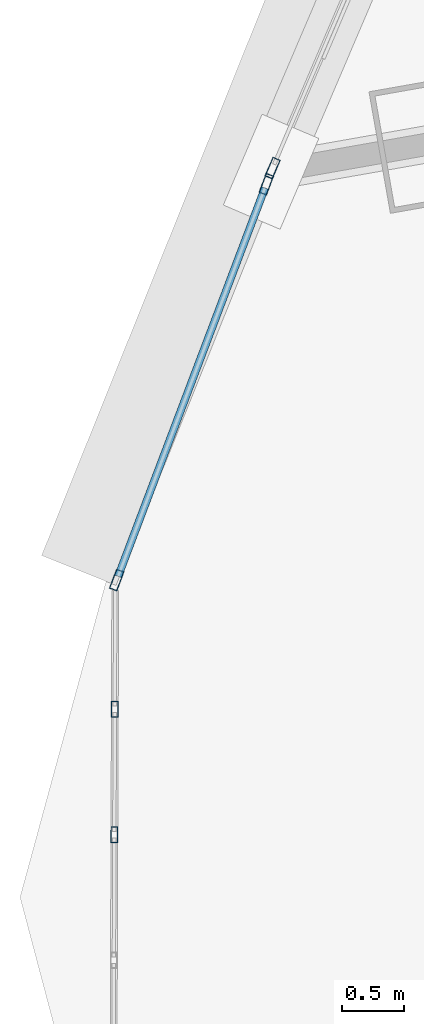
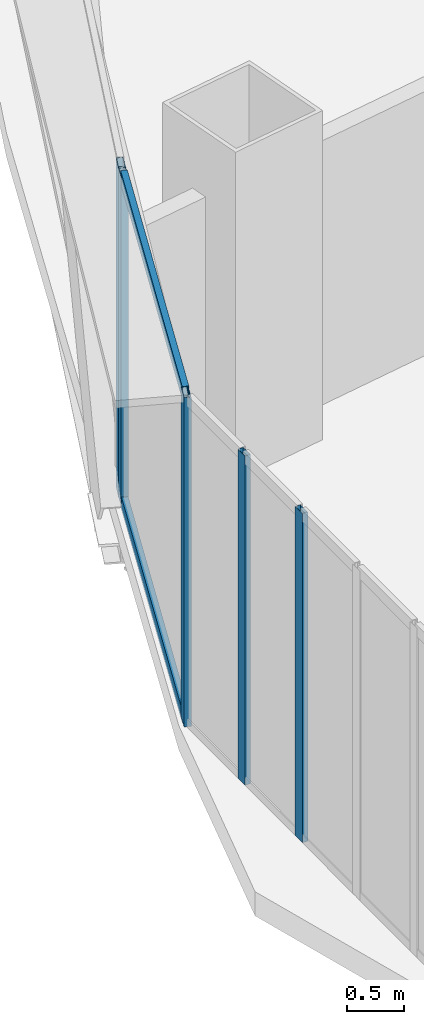
# One storey, part 4 of 41: 7 members, 3 elements without a shape of their own.
"""IFC4 building model written with IfcOpenShell, lengths in metres."""

from ifc_helpers import new_model, si_unit, direction, frame, origin, origin_2d, place, context, subcontext, project, spatial, hollow_rectangle, extrude, source, transform, mapped, material, layer, layer_set, material_profile, profile_set, type_object, element, aggregate, save


model = new_model("IFC4")

# Units and contexts
model_context = context("Model", 3, precision=1e-05, world=origin(), true_north=direction((0.0, 1.0)))
body_context = subcontext(model_context, "Body", "Model", "MODEL_VIEW")
ifc_project = project(units=[si_unit("LENGTHUNIT", "METRE"), si_unit("AREAUNIT", "SQUARE_METRE"), si_unit("VOLUMEUNIT", "CUBIC_METRE"), si_unit("PLANEANGLEUNIT", "RADIAN"), si_unit("MASSUNIT", "GRAM", prefix="KILO"), si_unit("THERMODYNAMICTEMPERATUREUNIT", "KELVIN"), si_unit("POWERUNIT", "WATT")], contexts=[model_context])

# Site, building, storey
site_placement = place(None, origin())
site = spatial("IfcSite", under=ifc_project, at=site_placement, CompositionType="ELEMENT")
building_placement = place(site_placement, origin())
building = spatial("IfcBuilding", under=site, at=building_placement, Name="Yunzhuo Pagoda Commons", CompositionType="ELEMENT")
storey_placement = place(building_placement, frame((0.0, 0.0, 111.580078125)))
storey = spatial("IfcBuildingStorey", under=building, at=storey_placement, Name="L28", CompositionType="ELEMENT", Elevation=111.580078125)

# Curtain wall, member
ifc_material = material(Name="Anodized aluminium 6063-T6", Category="aluminium")
ifc_layer_1 = layer(ifc_material, 0.1650390625)
ifc_layer_set_1 = layer_set([ifc_layer_1], Name="Anodized aluminium 6063-T6")
curtain_wall_type_1 = type_object("IfcCurtainWallType", Name="CW-LOW Low-Zone Ribbon Curtain Wall", PredefinedType="NOTDEFINED", material=ifc_layer_set_1)
curtain_wall_1_placement = place(storey_placement, origin())
curtain_wall_1 = element("IfcCurtainWall", 1, at=curtain_wall_1_placement, inside=storey, type_object=curtain_wall_type_1, Name="L28 curtain wall CW-L28-F3B4", PredefinedType="NOTDEFINED")
ifc_material_profile_1 = material_profile(ifc_material, hollow_rectangle(XDim=0.06494140625, YDim=0.1650390625, WallThickness=0.00390625, at=origin_2d()), Name="Anodized aluminium 6063-T6")
ifc_profile_set_1 = profile_set([ifc_material_profile_1], Name="Anodized aluminium 6063-T6")
member_type_1 = type_object("IfcMemberType", Name="CW-LOW-M Mullion RHS 165x65x4", PredefinedType="MULLION", material=ifc_profile_set_1)
shared_shape_1 = source(origin(), body_context, "Body", "SweptSolid", [
    extrude(hollow_rectangle(XDim=0.06494140625, YDim=0.1650390625, WallThickness=0.00390625, at=origin_2d()), origin(), (0.0, 0.0, 1.0), 3.5400390625),
])
member_1_placement = place(storey_placement, frame((8.287109375, 26.72509765625, 0.0), z_axis=(0.0, 0.0, 1.0), x_axis=(0.919648900825, -0.392741517046, 0.0)))
member_1 = element("IfcMember", 2, at=member_1_placement, type_object=member_type_1, Name="CW mullion 2", PredefinedType="MULLION", context=body_context, shape_type="MappedRepresentation", body=[
    mapped(shared_shape_1, transform((0.0, 0.0, 0.0), scale=1.0)),
])
aggregate(curtain_wall_1, [member_1])

# Curtain wall, members
curtain_wall_2_placement = place(storey_placement, origin())
curtain_wall_2 = element("IfcCurtainWall", 3, at=curtain_wall_2_placement, inside=storey, type_object=curtain_wall_type_1, Name="L28 curtain wall CW-L28-F3B5", PredefinedType="NOTDEFINED")
member_2_placement = place(storey_placement, frame((8.236328125, 26.5947265625, 0.0), z_axis=(0.0, 0.0, 1.0), x_axis=(0.935396805779, -0.353599796011, 0.0)))
member_2 = element("IfcMember", 4, at=member_2_placement, type_object=member_type_1, Name="CW mullion 1", PredefinedType="MULLION", context=body_context, shape_type="MappedRepresentation", body=[
    mapped(shared_shape_1, transform((0.0, 0.0, 0.0), scale=1.0)),
])
member_3_placement = place(storey_placement, frame((7.023681640625, 23.386962890625, 0.0), z_axis=(0.0, 0.0, 1.0), x_axis=(0.935396805779, -0.353599796011, 0.0)))
member_3 = element("IfcMember", 5, at=member_3_placement, type_object=member_type_1, Name="CW mullion 2", PredefinedType="MULLION", context=body_context, shape_type="MappedRepresentation", body=[
    mapped(shared_shape_1, transform((0.0, 0.0, 0.0), scale=1.0)),
])

ifc_layer_2 = layer(ifc_material, 0.1298828125)
ifc_layer_set_2 = layer_set([ifc_layer_2], Name="Anodized aluminium 6063-T6")
curtain_wall_type_2 = type_object("IfcCurtainWallType", Name="CW-VTX Rounded Corner Curtain Wall", PredefinedType="NOTDEFINED", material=ifc_layer_set_2)
curtain_wall_3_placement = place(storey_placement, origin())
curtain_wall_3 = element("IfcCurtainWall", 6, at=curtain_wall_3_placement, inside=storey, type_object=curtain_wall_type_2, Name="L28 curtain wall CW-L28-VTX1S1", PredefinedType="NOTDEFINED")
ifc_material_profile_2 = material_profile(ifc_material, hollow_rectangle(XDim=0.054931640625, YDim=0.1298828125, WallThickness=0.00341796875, at=origin_2d()), Name="Anodized aluminium 6063-T6")
ifc_profile_set_2 = profile_set([ifc_material_profile_2], Name="Anodized aluminium 6063-T6")
member_type_2 = type_object("IfcMemberType", Name="CW-VTX-M Mullion RHS 130x55x3.5", PredefinedType="MULLION", material=ifc_profile_set_2)
shared_shape_2 = source(origin(), body_context, "Body", "SweptSolid", [
    extrude(hollow_rectangle(XDim=0.054931640625, YDim=0.1298828125, WallThickness=0.00341796875, at=origin_2d()), origin(), (0.0, 0.0, 1.0), 3.5400390625),
])
member_4_placement = place(storey_placement, frame((7.008544921875, 22.339599609375, 0.0), z_axis=(0.0, 0.0, 1.0), x_axis=(0.999993522017, -0.003599433805, 0.0)))
member_4 = element("IfcMember", 7, at=member_4_placement, type_object=member_type_2, Name="CW mullion 2", PredefinedType="MULLION", context=body_context, shape_type="MappedRepresentation", body=[
    mapped(shared_shape_2, transform((0.0, 0.0, 0.0), scale=1.0)),
])
member_5_placement = place(storey_placement, frame((7.0048828125, 21.32275390625, 0.0), z_axis=(0.0, 0.0, 1.0), x_axis=(0.999993522017, -0.003599433805, 0.0)))
member_5 = element("IfcMember", 8, at=member_5_placement, type_object=member_type_2, Name="CW mullion 3", PredefinedType="MULLION", context=body_context, shape_type="MappedRepresentation", body=[
    mapped(shared_shape_2, transform((0.0, 0.0, 0.0), scale=1.0)),
])
aggregate(curtain_wall_3, [member_4, member_5])

# Member
ifc_material_profile_3 = material_profile(ifc_material, hollow_rectangle(XDim=0.06005859375, YDim=0.139892578125, WallThickness=0.00341796875, at=origin_2d()), Name="Anodized aluminium 6063-T6")
ifc_profile_set_3 = profile_set([ifc_material_profile_3], Name="Anodized aluminium 6063-T6")
member_type_3 = type_object("IfcMemberType", Name="CW-LOW-T Transom RHS 140x60x3.5", PredefinedType="USERDEFINED", material=ifc_profile_set_3)
shared_shape_3 = source(origin(), body_context, "Body", "SweptSolid", [
    extrude(hollow_rectangle(XDim=0.06005859375, YDim=0.139892578125, WallThickness=0.00341796875, at=origin_2d()), origin(), (0.0, 0.0, 1.0), 3.364501953125),
])
member_6_placement = place(storey_placement, frame((8.22509765625, 26.564208984375, 0.030029296875), z_axis=(-0.353682785479, -0.935365429795, 0.0), x_axis=(0.935365429795, -0.353682785479, 0.0)))
member_6 = element("IfcMember", 9, at=member_6_placement, type_object=member_type_3, Name="CW transom 1.1", ObjectType="TRANSOM", PredefinedType="USERDEFINED", context=body_context, shape_type="MappedRepresentation", body=[
    mapped(shared_shape_3, transform((0.0, 0.0, 0.0), scale=1.0)),
])

member_7_placement = place(storey_placement, frame((8.22509765625, 26.564208984375, 3.510009765625), z_axis=(-0.353682785479, -0.935365429795, 0.0), x_axis=(0.935365429795, -0.353682785479, 0.0)))
member_7 = element("IfcMember", 10, at=member_7_placement, type_object=member_type_3, Name="CW transom 1.2", ObjectType="TRANSOM", PredefinedType="USERDEFINED", context=body_context, shape_type="MappedRepresentation", body=[
    mapped(shared_shape_3, transform((0.0, 0.0, 0.0), scale=1.0)),
])

aggregate(curtain_wall_2, [member_2, member_3, member_6, member_7])

save(model, "model.ifc")
